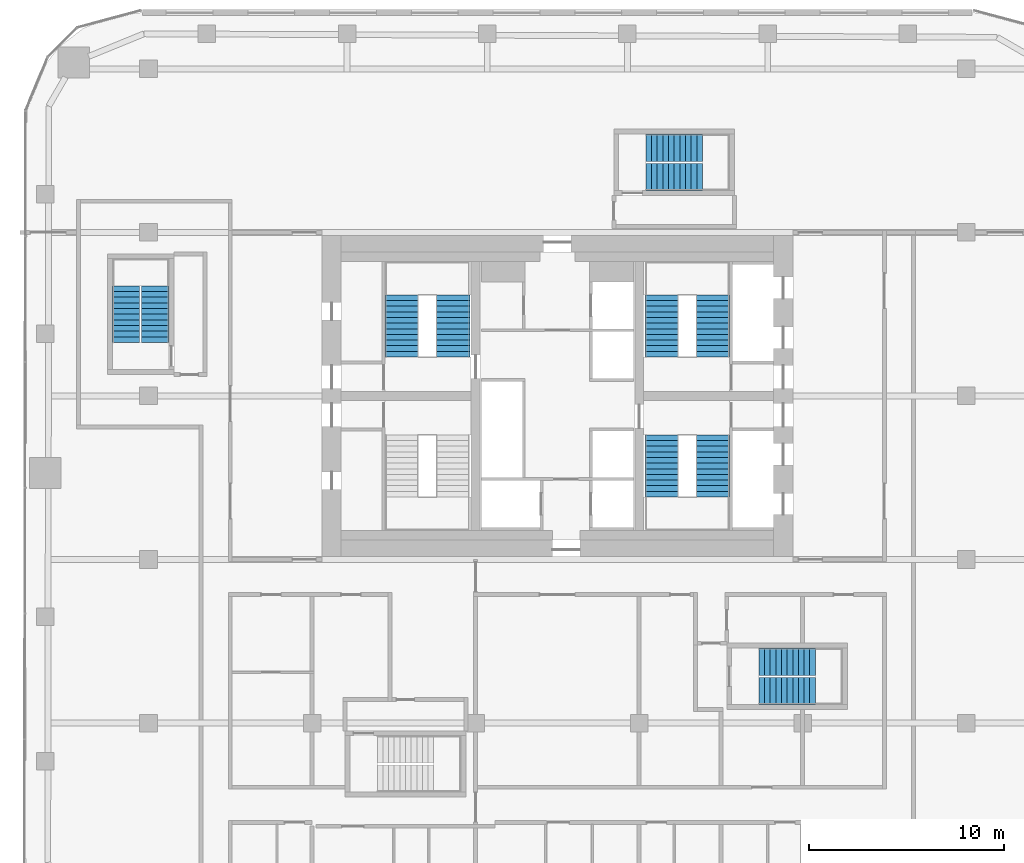
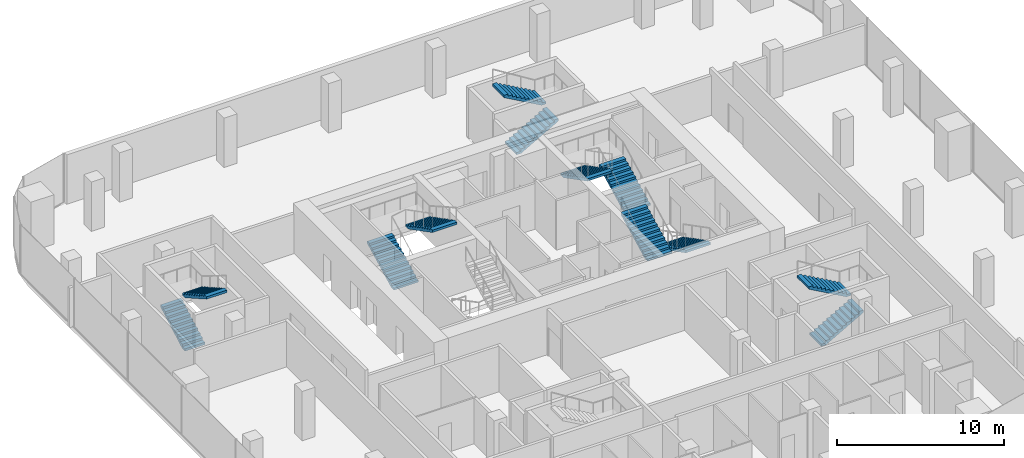
# One storey, part 19 of 21: 12 stair flights, 6 elements without a shape of their own.
"""IFC4 building model written with IfcOpenShell, lengths in metres."""

from ifc_helpers import new_model, si_unit, direction, frame, origin, place, context, subcontext, project, spatial, polyline, outline, extrude, material, type_object, element, aggregate, save


model = new_model("IFC4")

# Units and contexts
model_context = context("Model", 3, precision=1e-05, world=origin(), true_north=direction((0.0, 1.0)))
body_context = subcontext(model_context, "Body", "Model", "MODEL_VIEW")
ifc_project = project(units=[si_unit("LENGTHUNIT", "METRE"), si_unit("AREAUNIT", "SQUARE_METRE"), si_unit("VOLUMEUNIT", "CUBIC_METRE"), si_unit("PLANEANGLEUNIT", "RADIAN"), si_unit("MASSUNIT", "GRAM", prefix="KILO")], contexts=[model_context])

# Site, building, storey
site_placement = place(None, origin())
site = spatial("IfcSite", under=ifc_project, at=site_placement, CompositionType="ELEMENT")
building_placement = place(site_placement, origin())
building = spatial("IfcBuilding", under=site, at=building_placement, Name="Marenta Gate Hotel Tower", CompositionType="ELEMENT")
storey_placement = place(building_placement, frame((0.0, 0.0, 133.699951171875)))
storey = spatial("IfcBuildingStorey", under=building, at=storey_placement, Name="L30", CompositionType="ELEMENT", Elevation=133.699951171875)

# Stair, stair flights
ifc_material_1 = material(Name="Concrete C40", Category="concrete")
stair_type_1 = type_object("IfcStairType", Name="Core exit stair 1700 wide", PredefinedType="HALF_TURN_STAIR", material=ifc_material_1)
stair_1_placement = place(storey_placement, origin())
stair_1 = element("IfcStair", 1, at=stair_1_placement, inside=storey, type_object=stair_type_1, Name="Exit stair 2", PredefinedType="HALF_TURN_STAIR")
ifc_material_2 = material(Name="Concrete C40", Category="concrete")
stair_flight_type_1 = type_object("IfcStairFlightType", Name="Core stair flight 1700 riser 150.0 going 290", PredefinedType="STRAIGHT", material=ifc_material_2)
stair_flight_1_placement = place(storey_placement, frame((-8.0, 10.39990234375, 0.0), z_axis=(0.0, 0.0, 1.0), x_axis=(0.0, 1.0, 0.0)))
stair_flight_1 = element("IfcStairFlight", 2, at=stair_flight_1_placement, type_object=stair_flight_type_1, Name="ST2 flight 1", NumberOfRisers=12, NumberOfTreads=11, PredefinedType="STRAIGHT", RiserHeight=0.15, TreadLength=0.29, context=body_context, shape_type="SweptSolid", body=[
    extrude(outline(polyline([(0.0, 0.0), (0.0, 0.14990234375), (0.2900390625, 0.14990234375), (0.2900390625, 0.300048828125), (0.580078125, 0.300048828125), (0.580078125, 0.449951171875), (0.8701171875, 0.449951171875), (0.8701171875, 0.60009765625), (1.159912109375, 0.60009765625), (1.159912109375, 0.75), (1.449951171875, 0.75), (1.449951171875, 0.89990234375), (1.739990234375, 0.89990234375), (1.739990234375, 1.050048828125), (2.030029296875, 1.050048828125), (2.030029296875, 1.199951171875), (2.320068359375, 1.199951171875), (2.320068359375, 1.35009765625), (2.610107421875, 1.35009765625), (2.610107421875, 1.5), (2.89990234375, 1.5), (2.89990234375, 1.64990234375), (3.18994140625, 1.64990234375), (3.18994140625, 1.800048828125), (3.18994140625, 1.481201171875), (0.326171875, 0.0), (0.0, 0.0)])), frame((0.0, 0.85009765625, 0.0), z_axis=(0.0, -1.0, 0.0), x_axis=(1.0, 0.0, 0.0)), (0.0, 0.0, 1.0), 1.699951171875),
])
stair_flight_2_placement = place(storey_placement, frame((-5.35009765625, 13.590087890625, 1.800048828125), z_axis=(0.0, 0.0, 1.0), x_axis=(0.0, -1.0, 0.0)))
stair_flight_2 = element("IfcStairFlight", 3, at=stair_flight_2_placement, type_object=stair_flight_type_1, Name="ST2 flight 2", NumberOfRisers=12, NumberOfTreads=11, PredefinedType="STRAIGHT", RiserHeight=0.15, TreadLength=0.29, context=body_context, shape_type="SweptSolid", body=[
    extrude(outline(polyline([(0.0, 0.0), (0.0, 0.14990234375), (0.2900390625, 0.14990234375), (0.2900390625, 0.300048828125), (0.580078125, 0.300048828125), (0.580078125, 0.449951171875), (0.8701171875, 0.449951171875), (0.8701171875, 0.60009765625), (1.159912109375, 0.60009765625), (1.159912109375, 0.75), (1.449951171875, 0.75), (1.449951171875, 0.89990234375), (1.739990234375, 0.89990234375), (1.739990234375, 1.050048828125), (2.030029296875, 1.050048828125), (2.030029296875, 1.199951171875), (2.320068359375, 1.199951171875), (2.320068359375, 1.35009765625), (2.610107421875, 1.35009765625), (2.610107421875, 1.5), (2.89990234375, 1.5), (2.89990234375, 1.64990234375), (3.18994140625, 1.64990234375), (3.18994140625, 1.800048828125), (3.18994140625, 1.481201171875), (0.326171875, 0.0), (0.0, 0.0)])), frame((0.0, 0.85009765625, 0.0), z_axis=(0.0, -1.0, 0.0), x_axis=(1.0, 0.0, 0.0)), (0.0, 0.0, 1.0), 1.699951171875),
])
aggregate(stair_1, [stair_flight_1, stair_flight_2])

stair_2_placement = place(storey_placement, origin())
stair_2 = element("IfcStair", 4, at=stair_2_placement, inside=storey, type_object=stair_type_1, Name="Exit stair 3", PredefinedType="HALF_TURN_STAIR")
stair_flight_3_placement = place(storey_placement, frame((8.0, 6.39990234375, 0.0), z_axis=(0.0, 0.0, 1.0), x_axis=(0.0, -1.0, 0.0)))
stair_flight_3 = element("IfcStairFlight", 5, at=stair_flight_3_placement, type_object=stair_flight_type_1, Name="ST3 flight 1", NumberOfRisers=12, NumberOfTreads=11, PredefinedType="STRAIGHT", RiserHeight=0.15, TreadLength=0.29, context=body_context, shape_type="SweptSolid", body=[
    extrude(outline(polyline([(0.0, 0.0), (0.0, 0.14990234375), (0.2900390625, 0.14990234375), (0.2900390625, 0.300048828125), (0.580078125, 0.300048828125), (0.580078125, 0.449951171875), (0.8701171875, 0.449951171875), (0.8701171875, 0.60009765625), (1.159912109375, 0.60009765625), (1.159912109375, 0.75), (1.449951171875, 0.75), (1.449951171875, 0.89990234375), (1.739990234375, 0.89990234375), (1.739990234375, 1.050048828125), (2.030029296875, 1.050048828125), (2.030029296875, 1.199951171875), (2.320068359375, 1.199951171875), (2.320068359375, 1.35009765625), (2.610107421875, 1.35009765625), (2.610107421875, 1.5), (2.89990234375, 1.5), (2.89990234375, 1.64990234375), (3.18994140625, 1.64990234375), (3.18994140625, 1.800048828125), (3.18994140625, 1.481201171875), (0.326171875, 0.0), (0.0, 0.0)])), frame((0.0, 0.85009765625, 0.0), z_axis=(0.0, -1.0, 0.0), x_axis=(1.0, 0.0, 0.0)), (0.0, 0.0, 1.0), 1.699951171875),
])
stair_flight_4_placement = place(storey_placement, frame((5.35009765625, 3.2099609375, 1.800048828125), z_axis=(0.0, 0.0, 1.0), x_axis=(0.0, 1.0, 0.0)))
stair_flight_4 = element("IfcStairFlight", 6, at=stair_flight_4_placement, type_object=stair_flight_type_1, Name="ST3 flight 2", NumberOfRisers=12, NumberOfTreads=11, PredefinedType="STRAIGHT", RiserHeight=0.15, TreadLength=0.29, context=body_context, shape_type="SweptSolid", body=[
    extrude(outline(polyline([(0.0, 0.0), (0.0, 0.14990234375), (0.2900390625, 0.14990234375), (0.2900390625, 0.300048828125), (0.580078125, 0.300048828125), (0.580078125, 0.449951171875), (0.8701171875, 0.449951171875), (0.8701171875, 0.60009765625), (1.159912109375, 0.60009765625), (1.159912109375, 0.75), (1.449951171875, 0.75), (1.449951171875, 0.89990234375), (1.739990234375, 0.89990234375), (1.739990234375, 1.050048828125), (2.030029296875, 1.050048828125), (2.030029296875, 1.199951171875), (2.320068359375, 1.199951171875), (2.320068359375, 1.35009765625), (2.610107421875, 1.35009765625), (2.610107421875, 1.5), (2.89990234375, 1.5), (2.89990234375, 1.64990234375), (3.18994140625, 1.64990234375), (3.18994140625, 1.800048828125), (3.18994140625, 1.481201171875), (0.326171875, 0.0), (0.0, 0.0)])), frame((0.0, 0.85009765625, 0.0), z_axis=(0.0, -1.0, 0.0), x_axis=(1.0, 0.0, 0.0)), (0.0, 0.0, 1.0), 1.699951171875),
])
aggregate(stair_2, [stair_flight_3, stair_flight_4])

stair_3_placement = place(storey_placement, origin())
stair_3 = element("IfcStair", 7, at=stair_3_placement, inside=storey, type_object=stair_type_1, Name="Exit stair 4", PredefinedType="HALF_TURN_STAIR")
stair_flight_5_placement = place(storey_placement, frame((8.0, 10.39990234375, 0.0), z_axis=(0.0, 0.0, 1.0), x_axis=(0.0, 1.0, 0.0)))
stair_flight_5 = element("IfcStairFlight", 8, at=stair_flight_5_placement, type_object=stair_flight_type_1, Name="ST4 flight 1", NumberOfRisers=12, NumberOfTreads=11, PredefinedType="STRAIGHT", RiserHeight=0.15, TreadLength=0.29, context=body_context, shape_type="SweptSolid", body=[
    extrude(outline(polyline([(0.0, 0.0), (0.0, 0.14990234375), (0.2900390625, 0.14990234375), (0.2900390625, 0.300048828125), (0.580078125, 0.300048828125), (0.580078125, 0.449951171875), (0.8701171875, 0.449951171875), (0.8701171875, 0.60009765625), (1.159912109375, 0.60009765625), (1.159912109375, 0.75), (1.449951171875, 0.75), (1.449951171875, 0.89990234375), (1.739990234375, 0.89990234375), (1.739990234375, 1.050048828125), (2.030029296875, 1.050048828125), (2.030029296875, 1.199951171875), (2.320068359375, 1.199951171875), (2.320068359375, 1.35009765625), (2.610107421875, 1.35009765625), (2.610107421875, 1.5), (2.89990234375, 1.5), (2.89990234375, 1.64990234375), (3.18994140625, 1.64990234375), (3.18994140625, 1.800048828125), (3.18994140625, 1.481201171875), (0.326171875, 0.0), (0.0, 0.0)])), frame((0.0, 0.85009765625, 0.0), z_axis=(0.0, -1.0, 0.0), x_axis=(1.0, 0.0, 0.0)), (0.0, 0.0, 1.0), 1.699951171875),
])
stair_flight_6_placement = place(storey_placement, frame((5.35009765625, 13.590087890625, 1.800048828125), z_axis=(0.0, 0.0, 1.0), x_axis=(0.0, -1.0, 0.0)))
stair_flight_6 = element("IfcStairFlight", 9, at=stair_flight_6_placement, type_object=stair_flight_type_1, Name="ST4 flight 2", NumberOfRisers=12, NumberOfTreads=11, PredefinedType="STRAIGHT", RiserHeight=0.15, TreadLength=0.29, context=body_context, shape_type="SweptSolid", body=[
    extrude(outline(polyline([(0.0, 0.0), (0.0, 0.14990234375), (0.2900390625, 0.14990234375), (0.2900390625, 0.300048828125), (0.580078125, 0.300048828125), (0.580078125, 0.449951171875), (0.8701171875, 0.449951171875), (0.8701171875, 0.60009765625), (1.159912109375, 0.60009765625), (1.159912109375, 0.75), (1.449951171875, 0.75), (1.449951171875, 0.89990234375), (1.739990234375, 0.89990234375), (1.739990234375, 1.050048828125), (2.030029296875, 1.050048828125), (2.030029296875, 1.199951171875), (2.320068359375, 1.199951171875), (2.320068359375, 1.35009765625), (2.610107421875, 1.35009765625), (2.610107421875, 1.5), (2.89990234375, 1.5), (2.89990234375, 1.64990234375), (3.18994140625, 1.64990234375), (3.18994140625, 1.800048828125), (3.18994140625, 1.481201171875), (0.326171875, 0.0), (0.0, 0.0)])), frame((0.0, 0.85009765625, 0.0), z_axis=(0.0, -1.0, 0.0), x_axis=(1.0, 0.0, 0.0)), (0.0, 0.0, 1.0), 1.699951171875),
])
aggregate(stair_3, [stair_flight_5, stair_flight_6])

ifc_material_3 = material(Name="Concrete C40", Category="concrete")
stair_type_2 = type_object("IfcStairType", Name="Remote exit stair 1400 wide", PredefinedType="HALF_TURN_STAIR", material=ifc_material_3)
stair_4_placement = place(storey_placement, origin())
stair_4 = element("IfcStair", 10, at=stair_4_placement, inside=storey, type_object=stair_type_2, Name="Exit stair RS-Z1-3", PredefinedType="HALF_TURN_STAIR")
ifc_material_4 = material(Name="Concrete C40", Category="concrete")
stair_flight_type_2 = type_object("IfcStairFlightType", Name="Remote stair flight 1400 riser 163.6 going 290", PredefinedType="STRAIGHT", material=ifc_material_4)
stair_flight_7_placement = place(storey_placement, frame((-22.14990234375, 11.14990234375, 0.0), z_axis=(0.0, 0.0, 1.0), x_axis=(0.0, 1.0, 0.0)))
stair_flight_7 = element("IfcStairFlight", 11, at=stair_flight_7_placement, type_object=stair_flight_type_2, Name="RS-Z1-3 flight 1", NumberOfRisers=11, NumberOfTreads=10, PredefinedType="STRAIGHT", RiserHeight=0.163636, TreadLength=0.29, context=body_context, shape_type="SweptSolid", body=[
    extrude(outline(polyline([(0.0, 0.0), (0.0, 0.16357421875), (0.2900390625, 0.16357421875), (0.2900390625, 0.327392578125), (0.580078125, 0.327392578125), (0.580078125, 0.490966796875), (0.8701171875, 0.490966796875), (0.8701171875, 0.654541015625), (1.159912109375, 0.654541015625), (1.159912109375, 0.818115234375), (1.449951171875, 0.818115234375), (1.449951171875, 0.98193359375), (1.739990234375, 0.98193359375), (1.739990234375, 1.1455078125), (2.030029296875, 1.1455078125), (2.030029296875, 1.30908203125), (2.320068359375, 1.30908203125), (2.320068359375, 1.47265625), (2.610107421875, 1.47265625), (2.610107421875, 1.636474609375), (2.89990234375, 1.636474609375), (2.89990234375, 1.800048828125), (2.89990234375, 1.46435546875), (0.304931640625, 0.0), (0.0, 0.0)])), frame((0.0, 0.699951171875, 0.0), z_axis=(0.0, -1.0, 0.0), x_axis=(1.0, 0.0, 0.0)), (0.0, 0.0, 1.0), 1.39990234375),
])
stair_flight_8_placement = place(storey_placement, frame((-20.64990234375, 14.050048828125, 1.800048828125), z_axis=(0.0, 0.0, 1.0), x_axis=(0.0, -1.0, 0.0)))
stair_flight_8 = element("IfcStairFlight", 12, at=stair_flight_8_placement, type_object=stair_flight_type_2, Name="RS-Z1-3 flight 2", NumberOfRisers=11, NumberOfTreads=10, PredefinedType="STRAIGHT", RiserHeight=0.163636, TreadLength=0.29, context=body_context, shape_type="SweptSolid", body=[
    extrude(outline(polyline([(0.0, 0.0), (0.0, 0.16357421875), (0.2900390625, 0.16357421875), (0.2900390625, 0.327392578125), (0.580078125, 0.327392578125), (0.580078125, 0.490966796875), (0.8701171875, 0.490966796875), (0.8701171875, 0.654541015625), (1.159912109375, 0.654541015625), (1.159912109375, 0.818115234375), (1.449951171875, 0.818115234375), (1.449951171875, 0.98193359375), (1.739990234375, 0.98193359375), (1.739990234375, 1.1455078125), (2.030029296875, 1.1455078125), (2.030029296875, 1.30908203125), (2.320068359375, 1.30908203125), (2.320068359375, 1.47265625), (2.610107421875, 1.47265625), (2.610107421875, 1.636474609375), (2.89990234375, 1.636474609375), (2.89990234375, 1.800048828125), (2.89990234375, 1.46435546875), (0.304931640625, 0.0), (0.0, 0.0)])), frame((0.0, 0.699951171875, 0.0), z_axis=(0.0, -1.0, 0.0), x_axis=(1.0, 0.0, 0.0)), (0.0, 0.0, 1.0), 1.39990234375),
])
aggregate(stair_4, [stair_flight_7, stair_flight_8])

stair_5_placement = place(storey_placement, origin())
stair_5 = element("IfcStair", 13, at=stair_5_placement, inside=storey, type_object=stair_type_2, Name="Exit stair RS-Z2-2", PredefinedType="HALF_TURN_STAIR")
stair_flight_9_placement = place(storey_placement, frame((10.35009765625, -6.75, 0.0), z_axis=(0.0, 0.0, 1.0), x_axis=(1.0, 0.0, 0.0)))
stair_flight_9 = element("IfcStairFlight", 14, at=stair_flight_9_placement, type_object=stair_flight_type_2, Name="RS-Z2-2 flight 1", NumberOfRisers=11, NumberOfTreads=10, PredefinedType="STRAIGHT", RiserHeight=0.163636, TreadLength=0.29, context=body_context, shape_type="SweptSolid", body=[
    extrude(outline(polyline([(0.0, 0.0), (0.0, 0.16357421875), (0.2900390625, 0.16357421875), (0.2900390625, 0.327392578125), (0.580078125, 0.327392578125), (0.580078125, 0.490966796875), (0.8701171875, 0.490966796875), (0.8701171875, 0.654541015625), (1.159912109375, 0.654541015625), (1.159912109375, 0.818115234375), (1.449951171875, 0.818115234375), (1.449951171875, 0.98193359375), (1.739990234375, 0.98193359375), (1.739990234375, 1.1455078125), (2.030029296875, 1.1455078125), (2.030029296875, 1.30908203125), (2.320068359375, 1.30908203125), (2.320068359375, 1.47265625), (2.610107421875, 1.47265625), (2.610107421875, 1.636474609375), (2.89990234375, 1.636474609375), (2.89990234375, 1.800048828125), (2.89990234375, 1.46435546875), (0.304931640625, 0.0), (0.0, 0.0)])), frame((0.0, 0.699951171875, 0.0), z_axis=(0.0, -1.0, 0.0), x_axis=(1.0, 0.0, 0.0)), (0.0, 0.0, 1.0), 1.39990234375),
])
stair_flight_10_placement = place(storey_placement, frame((13.25, -5.25, 1.800048828125), z_axis=(0.0, 0.0, 1.0), x_axis=(-1.0, 0.0, 0.0)))
stair_flight_10 = element("IfcStairFlight", 15, at=stair_flight_10_placement, type_object=stair_flight_type_2, Name="RS-Z2-2 flight 2", NumberOfRisers=11, NumberOfTreads=10, PredefinedType="STRAIGHT", RiserHeight=0.163636, TreadLength=0.29, context=body_context, shape_type="SweptSolid", body=[
    extrude(outline(polyline([(0.0, 0.0), (0.0, 0.16357421875), (0.2900390625, 0.16357421875), (0.2900390625, 0.327392578125), (0.580078125, 0.327392578125), (0.580078125, 0.490966796875), (0.8701171875, 0.490966796875), (0.8701171875, 0.654541015625), (1.159912109375, 0.654541015625), (1.159912109375, 0.818115234375), (1.449951171875, 0.818115234375), (1.449951171875, 0.98193359375), (1.739990234375, 0.98193359375), (1.739990234375, 1.1455078125), (2.030029296875, 1.1455078125), (2.030029296875, 1.30908203125), (2.320068359375, 1.30908203125), (2.320068359375, 1.47265625), (2.610107421875, 1.47265625), (2.610107421875, 1.636474609375), (2.89990234375, 1.636474609375), (2.89990234375, 1.800048828125), (2.89990234375, 1.46435546875), (0.304931640625, 0.0), (0.0, 0.0)])), frame((0.0, 0.699951171875, 0.0), z_axis=(0.0, -1.0, 0.0), x_axis=(1.0, 0.0, 0.0)), (0.0, 0.0, 1.0), 1.39990234375),
])
aggregate(stair_5, [stair_flight_9, stair_flight_10])

stair_6_placement = place(storey_placement, origin())
stair_6 = element("IfcStair", 16, at=stair_6_placement, inside=storey, type_object=stair_type_2, Name="Exit stair RS-Z2-4", PredefinedType="HALF_TURN_STAIR")
stair_flight_11_placement = place(storey_placement, frame((4.550048828125, 19.64990234375, 0.0), z_axis=(0.0, 0.0, 1.0), x_axis=(1.0, 0.0, 0.0)))
stair_flight_11 = element("IfcStairFlight", 17, at=stair_flight_11_placement, type_object=stair_flight_type_2, Name="RS-Z2-4 flight 1", NumberOfRisers=11, NumberOfTreads=10, PredefinedType="STRAIGHT", RiserHeight=0.163636, TreadLength=0.29, context=body_context, shape_type="SweptSolid", body=[
    extrude(outline(polyline([(0.0, 0.0), (0.0, 0.16357421875), (0.2900390625, 0.16357421875), (0.2900390625, 0.327392578125), (0.580078125, 0.327392578125), (0.580078125, 0.490966796875), (0.8701171875, 0.490966796875), (0.8701171875, 0.654541015625), (1.159912109375, 0.654541015625), (1.159912109375, 0.818115234375), (1.449951171875, 0.818115234375), (1.449951171875, 0.98193359375), (1.739990234375, 0.98193359375), (1.739990234375, 1.1455078125), (2.030029296875, 1.1455078125), (2.030029296875, 1.30908203125), (2.320068359375, 1.30908203125), (2.320068359375, 1.47265625), (2.610107421875, 1.47265625), (2.610107421875, 1.636474609375), (2.89990234375, 1.636474609375), (2.89990234375, 1.800048828125), (2.89990234375, 1.46435546875), (0.304931640625, 0.0), (0.0, 0.0)])), frame((0.0, 0.699951171875, 0.0), z_axis=(0.0, -1.0, 0.0), x_axis=(1.0, 0.0, 0.0)), (0.0, 0.0, 1.0), 1.39990234375),
])
stair_flight_12_placement = place(storey_placement, frame((7.449951171875, 21.14990234375, 1.800048828125), z_axis=(0.0, 0.0, 1.0), x_axis=(-1.0, 0.0, 0.0)))
stair_flight_12 = element("IfcStairFlight", 18, at=stair_flight_12_placement, type_object=stair_flight_type_2, Name="RS-Z2-4 flight 2", NumberOfRisers=11, NumberOfTreads=10, PredefinedType="STRAIGHT", RiserHeight=0.163636, TreadLength=0.29, context=body_context, shape_type="SweptSolid", body=[
    extrude(outline(polyline([(0.0, 0.0), (0.0, 0.16357421875), (0.2900390625, 0.16357421875), (0.2900390625, 0.327392578125), (0.580078125, 0.327392578125), (0.580078125, 0.490966796875), (0.8701171875, 0.490966796875), (0.8701171875, 0.654541015625), (1.159912109375, 0.654541015625), (1.159912109375, 0.818115234375), (1.449951171875, 0.818115234375), (1.449951171875, 0.98193359375), (1.739990234375, 0.98193359375), (1.739990234375, 1.1455078125), (2.030029296875, 1.1455078125), (2.030029296875, 1.30908203125), (2.320068359375, 1.30908203125), (2.320068359375, 1.47265625), (2.610107421875, 1.47265625), (2.610107421875, 1.636474609375), (2.89990234375, 1.636474609375), (2.89990234375, 1.800048828125), (2.89990234375, 1.46435546875), (0.304931640625, 0.0), (0.0, 0.0)])), frame((0.0, 0.699951171875, 0.0), z_axis=(0.0, -1.0, 0.0), x_axis=(1.0, 0.0, 0.0)), (0.0, 0.0, 1.0), 1.39990234375),
])
aggregate(stair_6, [stair_flight_11, stair_flight_12])

save(model, "model.ifc")
